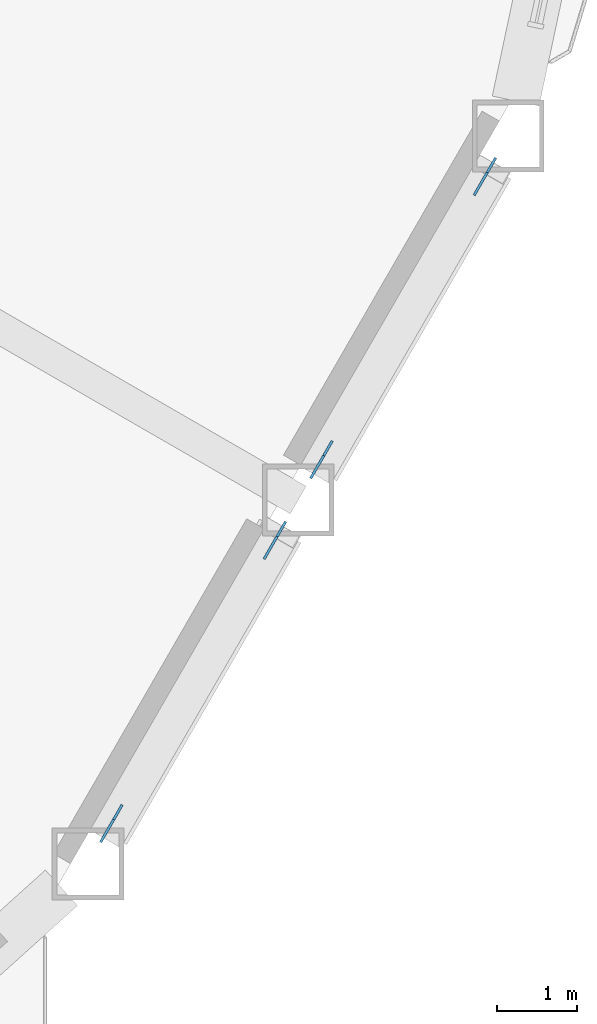
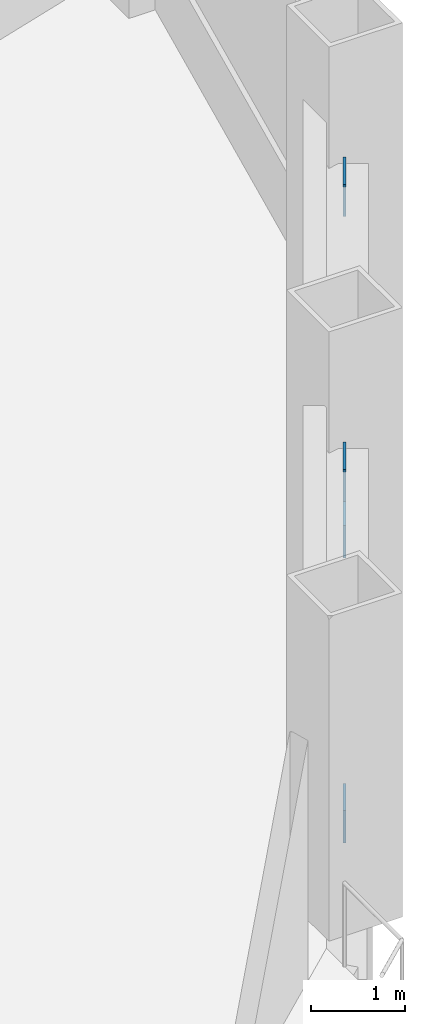
# One storey, part 15 of 21: 4 discrete accessories.
"""IFC4 building model written with IfcOpenShell, lengths in metres."""

from ifc_helpers import new_model, si_unit, direction, frame, origin, origin_2d, place, context, subcontext, project, spatial, rectangle, extrude, material, material_profile, profile_set, type_object, element, save


model = new_model("IFC4")

# Units and contexts
model_context = context("Model", 3, precision=1e-05, world=origin(), true_north=direction((0.0, 1.0)))
body_context = subcontext(model_context, "Body", "Model", "MODEL_VIEW")
ifc_project = project(units=[si_unit("LENGTHUNIT", "METRE"), si_unit("AREAUNIT", "SQUARE_METRE"), si_unit("VOLUMEUNIT", "CUBIC_METRE"), si_unit("PLANEANGLEUNIT", "RADIAN"), si_unit("MASSUNIT", "GRAM", prefix="KILO")], contexts=[model_context])

# Site, building, storey
site_placement = place(None, origin())
site = spatial("IfcSite", under=ifc_project, at=site_placement, CompositionType="ELEMENT")
building_placement = place(site_placement, origin())
building = spatial("IfcBuilding", under=site, at=building_placement, Name="Cormorant Prow Tower", CompositionType="ELEMENT")
storey_placement = place(building_placement, frame((0.0, 0.0, 99.60009765625)))
storey = spatial("IfcBuildingStorey", under=building, at=storey_placement, Name="L20", CompositionType="ELEMENT", Elevation=99.60009765625)

# Discrete accessories
ifc_material = material(Name="Structural steel ASTM A500 Gr C", Category="steel")
ifc_material_profile = material_profile(ifc_material, rectangle(XDim=0.031982421875, YDim=0.60791015625, at=origin_2d()), Name="Gusset plate 32x608")
ifc_profile_set = profile_set([ifc_material_profile], Name="Structural steel ASTM A500 Gr C")
discrete_accessory_type = type_object("IfcDiscreteAccessoryType", Name="Gusset plate 32x608", PredefinedType="BRACKET", material=ifc_profile_set)
discrete_accessory_1_placement = place(storey_placement, frame((25.8740234375, -20.158935546875, 0.88232421875), z_axis=(-0.467903125124, -0.810288273314, -0.352844979601), x_axis=(0.865987003449, -0.500066505434, 0.0)))
element("IfcDiscreteAccessory", 1, at=discrete_accessory_1_placement, inside=storey, type_object=discrete_accessory_type, Name="Gusset plate GP1 L20.ESE00.g0", PredefinedType="BRACKET", context=body_context, shape_type="SweptSolid", body=[
    extrude(rectangle(XDim=0.031982421875, YDim=0.60791015625, at=origin_2d()), origin(), (0.0, 0.0, 1.0), 0.35009765625),
])
discrete_accessory_2_placement = place(storey_placement, frame((27.76025390625, -16.8916015625, 2.306396484375), z_axis=(0.468167615655, 0.810048586848, 0.353044431477), x_axis=(-0.865800459427, 0.500389412813, 0.0)))
element("IfcDiscreteAccessory", 2, at=discrete_accessory_2_placement, inside=storey, type_object=discrete_accessory_type, Name="Gusset plate GP1 L20.ESE00.g1", PredefinedType="BRACKET", context=body_context, shape_type="SweptSolid", body=[
    extrude(rectangle(XDim=0.031982421875, YDim=0.60791015625, at=origin_2d()), origin(), (0.0, 0.0, 1.0), 0.349853515625),
])
for number, where, z_axis, x_axis, name in (
    (3, (28.5087890625, -15.59521484375, 0.88232421875), (-0.467903125124, -0.810288273314, -0.352844979601), (0.865987003449, -0.500066505434, 0.0), "Gusset plate GP1 L20.ESE01.g0"),
    (4, (30.39501953125, -12.328125, 2.306396484375), (0.467903125124, 0.810288273314, 0.352844979601), (-0.865987003449, 0.500066505434, 0.0), "Gusset plate GP1 L20.ESE01.g1"),
):
    element("IfcDiscreteAccessory", number, at=place(storey_placement, frame(where, z_axis=z_axis, x_axis=x_axis)), inside=storey, type_object=discrete_accessory_type, Name=name, PredefinedType="BRACKET", context=body_context, shape_type="SweptSolid", body=[
        extrude(rectangle(XDim=0.031982421875, YDim=0.60791015625, at=origin_2d()), origin(), (0.0, 0.0, 1.0), 0.35009765625),
    ])

save(model, "model.ifc")
